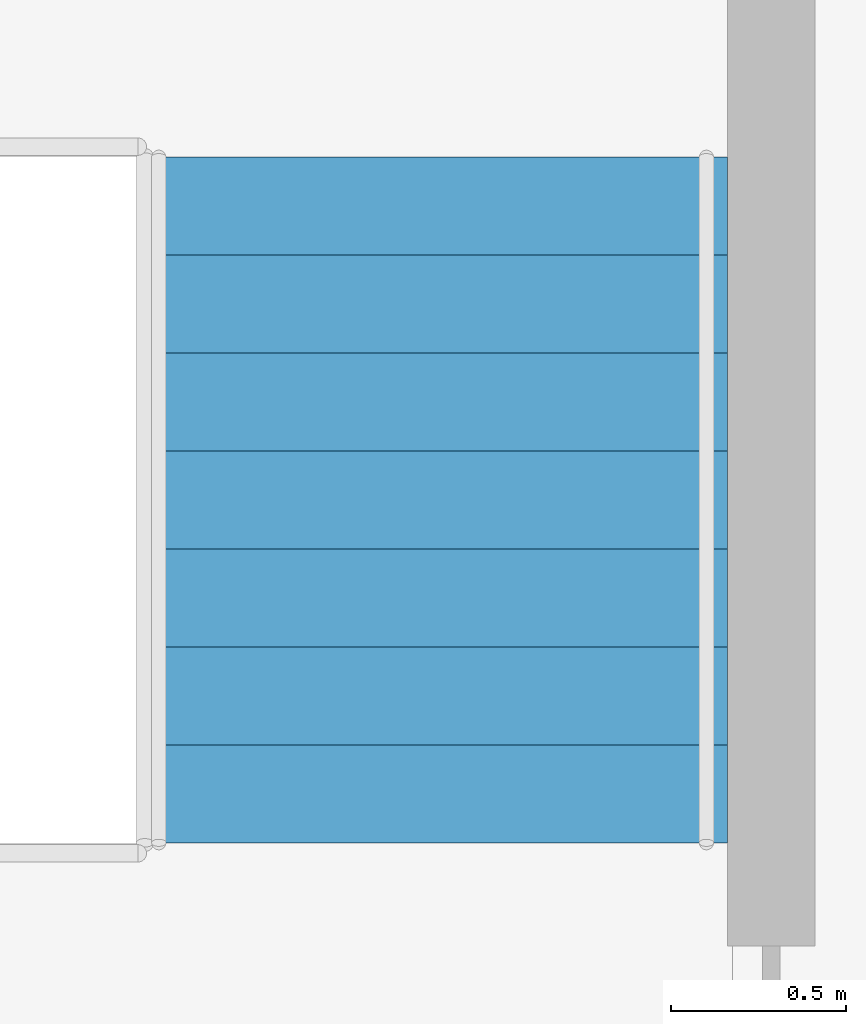
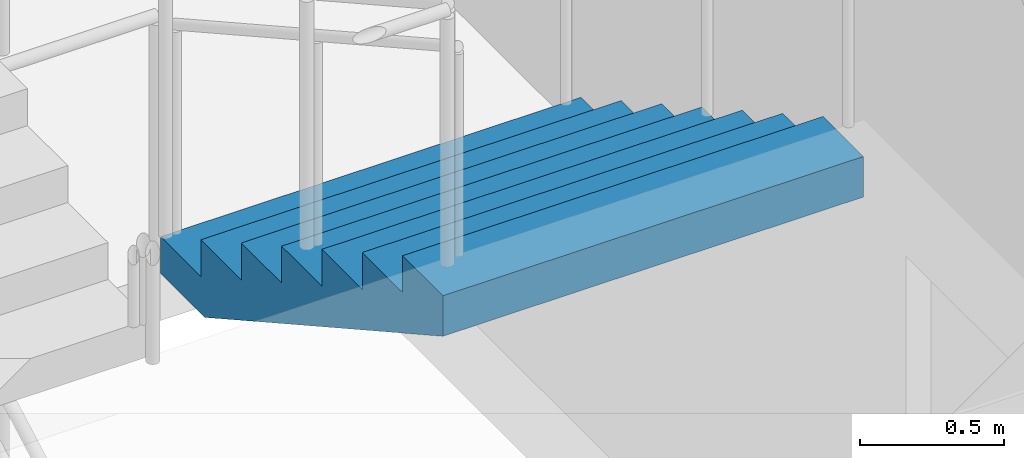
# One storey, part 34 of 37: 1 stair flight, 1 element without a shape of its own.
"""IFC4 building model written with IfcOpenShell, lengths in metres."""

from ifc_helpers import new_model, si_unit, direction, frame, origin, place, context, subcontext, project, spatial, triangles, material, type_object, element, aggregate, save


model = new_model("IFC4")

# Units and contexts
model_context = context("Model", 3, precision=1e-05, world=origin(), true_north=direction((0.0, 1.0)))
body_context = subcontext(model_context, "Body", "Model", "MODEL_VIEW")
ifc_project = project(units=[si_unit("LENGTHUNIT", "METRE"), si_unit("AREAUNIT", "SQUARE_METRE"), si_unit("VOLUMEUNIT", "CUBIC_METRE"), si_unit("PLANEANGLEUNIT", "RADIAN"), si_unit("MASSUNIT", "GRAM", prefix="KILO")], contexts=[model_context])

# Site, building, storey
site_placement = place(None, origin())
site = spatial("IfcSite", under=ifc_project, at=site_placement, CompositionType="ELEMENT")
building_placement = place(site_placement, origin())
building = spatial("IfcBuilding", under=site, at=building_placement, Name="Orbita Commons", CompositionType="ELEMENT")
storey_placement = place(building_placement, frame((0.0, 0.0, 6.0)))
storey = spatial("IfcBuildingStorey", under=building, at=storey_placement, Name="L01", CompositionType="ELEMENT", Elevation=6.0)

# Stair, stair flight
ifc_material_1 = material(Name="Precast concrete C40/50", Category="concrete")
stair_type = type_object("IfcStairType", Name="Podium exit stair 4 flights 8 risers 156", PredefinedType="HALF_TURN_STAIR", material=ifc_material_1)
stair_placement = place(storey_placement, origin())
stair = element("IfcStair", 1, at=stair_placement, inside=storey, type_object=stair_type, Name="Podium exit stair PS2 L01", PredefinedType="HALF_TURN_STAIR")
ifc_material_2 = material(Name="Precast concrete C40/50", Category="concrete")
stair_flight_type = type_object("IfcStairFlightType", Name="Podium stair flight 8 risers 156 x 1685", PredefinedType="STRAIGHT", material=ifc_material_2)
stair_flight_placement = place(storey_placement, frame((76.4326171875, 31.780029296875, 1.25), z_axis=(0.0, 0.0, 1.0), x_axis=(0.0, -1.0, 0.0)))
stair_flight = element("IfcStairFlight", 2, at=stair_flight_placement, type_object=stair_flight_type, Name="PS2 flight 2", NumberOfRisers=8, NumberOfTreads=7, PredefinedType="STRAIGHT", RiserHeight=0.15625, TreadLength=0.28, context=body_context, shape_type="Tessellation", body=[
    triangles([(0.0, 0.842529, 0.0), (0.0, 0.842529, 0.019531), (0.0, 0.702108, 0.019531), (0.0, 0.702108, 0.0), (0.0, 0.561686, 0.019531), (0.0, 0.561686, 0.0), (0.0, 0.421265, 0.019531), (0.0, 0.421265, 0.0), (0.0, 0.280843, 0.019531), (0.0, 0.280843, 0.0), (0.0, 0.140422, 0.019531), (0.0, 0.140422, 0.0), (0.0, 0.0, 0.019531), (0.0, 0.0, 0.0), (0.0, -0.140422, 0.019531), (0.0, -0.140422, 0.0), (0.0, -0.280843, 0.019531), (0.0, -0.280843, 0.0), (0.0, -0.421265, 0.019531), (0.0, -0.421265, 0.0), (0.0, -0.561686, 0.019531), (0.0, -0.561686, 0.0), (0.0, -0.702108, 0.019531), (0.0, -0.702108, 0.0), (0.0, -0.842529, 0.019531), (0.0, -0.842529, 0.0), (0.0, 0.842529, 0.039062), (0.0, 0.702108, 0.039062), (0.0, 0.561686, 0.039062), (0.0, 0.421265, 0.039062), (0.0, 0.280843, 0.039062), (0.0, 0.140422, 0.039062), (0.0, 0.0, 0.039062), (0.0, -0.140422, 0.039062), (0.0, -0.280843, 0.039062), (0.0, -0.421265, 0.039062), (0.0, -0.561686, 0.039062), (0.0, -0.702108, 0.039062), (0.0, -0.842529, 0.039062), (0.0, 0.842529, 0.058594), (0.0, 0.702108, 0.058594), (0.0, 0.561686, 0.058594), (0.0, 0.421265, 0.058594), (0.0, 0.280843, 0.058594), (0.0, 0.140422, 0.058594), (0.0, 0.0, 0.058594), (0.0, -0.140422, 0.058594), (0.0, -0.280843, 0.058594), (0.0, -0.421265, 0.058594), (0.0, -0.561686, 0.058594), (0.0, -0.702108, 0.058594), (0.0, -0.842529, 0.058594), (0.0, 0.842529, 0.078125), (0.0, 0.702108, 0.078125), (0.0, 0.561686, 0.078125), (0.0, 0.421265, 0.078125), (0.0, 0.280843, 0.078125), (0.0, 0.140422, 0.078125), (0.0, 0.0, 0.078125), (0.0, -0.140422, 0.078125), (0.0, -0.280843, 0.078125), (0.0, -0.421265, 0.078125), (0.0, -0.561686, 0.078125), (0.0, -0.702108, 0.078125), (0.0, -0.842529, 0.078125), (0.0, 0.842529, 0.097656), (0.0, 0.702108, 0.097656), (0.0, 0.561686, 0.097656), (0.0, 0.421265, 0.097656), (0.0, 0.280843, 0.097656), (0.0, 0.140422, 0.097656), (0.0, 0.0, 0.097656), (0.0, -0.140422, 0.097656), (0.0, -0.280843, 0.097656), (0.0, -0.421265, 0.097656), (0.0, -0.561686, 0.097656), (0.0, -0.702108, 0.097656), (0.0, -0.842529, 0.097656), (0.0, 0.842529, 0.117188), (0.0, 0.702108, 0.117188), (0.0, 0.561686, 0.117188), (0.0, 0.421265, 0.117188), (0.0, 0.280843, 0.117188), (0.0, 0.140422, 0.117188), (0.0, 0.0, 0.117188), (0.0, -0.140422, 0.117188), (0.0, -0.280843, 0.117188), (0.0, -0.421265, 0.117188), (0.0, -0.561686, 0.117188), (0.0, -0.702108, 0.117188), (0.0, -0.842529, 0.117188), (0.0, 0.842529, 0.136719), (0.0, 0.702108, 0.136719), (0.0, 0.561686, 0.136719), (0.0, 0.421265, 0.136719), (0.0, 0.280843, 0.136719), (0.0, 0.140422, 0.136719), (0.0, 0.0, 0.136719), (0.0, -0.140422, 0.136719), (0.0, -0.280843, 0.136719), (0.0, -0.421265, 0.136719), (0.0, -0.561686, 0.136719), (0.0, -0.702108, 0.136719), (0.0, -0.842529, 0.136719), (0.0, 0.842529, 0.15625), (0.0, 0.702108, 0.15625), (0.0, 0.561686, 0.15625), (0.0, 0.421265, 0.15625), (0.0, 0.280843, 0.15625), (0.0, 0.140422, 0.15625), (0.0, 0.0, 0.15625), (0.0, -0.140422, 0.15625), (0.0, -0.280843, 0.15625), (0.0, -0.421265, 0.15625), (0.0, -0.561686, 0.15625), (0.0, -0.702108, 0.15625), (0.0, -0.842529, 0.15625), (0.28, 0.842529, 0.15625), (0.28, 0.702108, 0.15625), (0.28, 0.561686, 0.15625), (0.28, 0.421265, 0.15625), (0.28, 0.280843, 0.15625), (0.28, 0.140422, 0.15625), (0.28, 0.0, 0.15625), (0.28, -0.140422, 0.15625), (0.28, -0.280843, 0.15625), (0.28, -0.421265, 0.15625), (0.28, -0.561686, 0.15625), (0.28, -0.702108, 0.15625), (0.28, -0.842529, 0.15625), (0.28, 0.842529, 0.3125), (0.28, 0.702108, 0.3125), (0.28, 0.561686, 0.3125), (0.28, 0.421265, 0.3125), (0.28, 0.280843, 0.3125), (0.28, 0.140422, 0.3125), (0.28, 0.0, 0.3125), (0.28, -0.140422, 0.3125), (0.28, -0.280843, 0.3125), (0.28, -0.421265, 0.3125), (0.28, -0.561686, 0.3125), (0.28, -0.702108, 0.3125), (0.28, -0.842529, 0.3125), (0.56, 0.842529, 0.3125), (0.56, 0.702108, 0.3125), (0.56, 0.561686, 0.3125), (0.56, 0.421265, 0.3125), (0.56, 0.280843, 0.3125), (0.56, 0.140422, 0.3125), (0.56, 0.0, 0.3125), (0.56, -0.140422, 0.3125), (0.56, -0.280843, 0.3125), (0.56, -0.421265, 0.3125), (0.56, -0.561686, 0.3125), (0.56, -0.702108, 0.3125), (0.56, -0.842529, 0.3125), (0.56, 0.842529, 0.46875), (0.56, 0.702108, 0.46875), (0.56, 0.561686, 0.46875), (0.56, 0.421265, 0.46875), (0.56, 0.280843, 0.46875), (0.56, 0.140422, 0.46875), (0.56, 0.0, 0.46875), (0.56, -0.140422, 0.46875), (0.56, -0.280843, 0.46875), (0.56, -0.421265, 0.46875), (0.56, -0.561686, 0.46875), (0.56, -0.702108, 0.46875), (0.56, -0.842529, 0.46875), (0.84, 0.842529, 0.46875), (0.84, 0.702108, 0.46875), (0.84, 0.561686, 0.46875), (0.84, 0.421265, 0.46875), (0.84, 0.280843, 0.46875), (0.84, 0.140422, 0.46875), (0.84, 0.0, 0.46875), (0.84, -0.140422, 0.46875), (0.84, -0.280843, 0.46875), (0.84, -0.421265, 0.46875), (0.84, -0.561686, 0.46875), (0.84, -0.702108, 0.46875), (0.84, -0.842529, 0.46875), (0.84, 0.842529, 0.625), (0.84, 0.702108, 0.625), (0.84, 0.561686, 0.625), (0.84, 0.421265, 0.625), (0.84, 0.280843, 0.625), (0.84, 0.140422, 0.625), (0.84, 0.0, 0.625), (0.84, -0.140422, 0.625), (0.84, -0.280843, 0.625), (0.84, -0.421265, 0.625), (0.84, -0.561686, 0.625), (0.84, -0.702108, 0.625), (0.84, -0.842529, 0.625), (1.12, 0.842529, 0.625), (1.12, 0.702108, 0.625), (1.12, 0.561686, 0.625), (1.12, 0.421265, 0.625), (1.12, 0.280843, 0.625), (1.12, 0.140422, 0.625), (1.12, 0.0, 0.625), (1.12, -0.140422, 0.625), (1.12, -0.280843, 0.625), (1.12, -0.421265, 0.625), (1.12, -0.561686, 0.625), (1.12, -0.702108, 0.625), (1.12, -0.842529, 0.625), (1.12, 0.842529, 0.78125), (1.12, 0.702108, 0.78125), (1.12, 0.561686, 0.78125), (1.12, 0.421265, 0.78125), (1.12, 0.280843, 0.78125), (1.12, 0.140422, 0.78125), (1.12, 0.0, 0.78125), (1.12, -0.140422, 0.78125), (1.12, -0.280843, 0.78125), (1.12, -0.421265, 0.78125), (1.12, -0.561686, 0.78125), (1.12, -0.702108, 0.78125), (1.12, -0.842529, 0.78125), (1.4, 0.842529, 0.78125), (1.4, 0.702108, 0.78125), (1.4, 0.561686, 0.78125), (1.4, 0.421265, 0.78125), (1.4, 0.280843, 0.78125), (1.4, 0.140422, 0.78125), (1.4, 0.0, 0.78125), (1.4, -0.140422, 0.78125), (1.4, -0.280843, 0.78125), (1.4, -0.421265, 0.78125), (1.4, -0.561686, 0.78125), (1.4, -0.702108, 0.78125), (1.4, -0.842529, 0.78125), (1.4, 0.842529, 0.9375), (1.4, 0.702108, 0.9375), (1.4, 0.561686, 0.9375), (1.4, 0.421265, 0.9375), (1.4, 0.280843, 0.9375), (1.4, 0.140422, 0.9375), (1.4, 0.0, 0.9375), (1.4, -0.140422, 0.9375), (1.4, -0.280843, 0.9375), (1.4, -0.421265, 0.9375), (1.4, -0.561686, 0.9375), (1.4, -0.702108, 0.9375), (1.4, -0.842529, 0.9375), (1.68, 0.842529, 0.9375), (1.68, 0.702108, 0.9375), (1.68, 0.561686, 0.9375), (1.68, 0.421265, 0.9375), (1.68, 0.280843, 0.9375), (1.68, 0.140422, 0.9375), (1.68, 0.0, 0.9375), (1.68, -0.140422, 0.9375), (1.68, -0.280843, 0.9375), (1.68, -0.421265, 0.9375), (1.68, -0.561686, 0.9375), (1.68, -0.702108, 0.9375), (1.68, -0.842529, 0.9375), (1.68, 0.842529, 1.09375), (1.68, 0.702108, 1.09375), (1.68, 0.561686, 1.09375), (1.68, 0.421265, 1.09375), (1.68, 0.280843, 1.09375), (1.68, 0.140422, 1.09375), (1.68, 0.0, 1.09375), (1.68, -0.140422, 1.09375), (1.68, -0.280843, 1.09375), (1.68, -0.421265, 1.09375), (1.68, -0.561686, 1.09375), (1.68, -0.702108, 1.09375), (1.68, -0.842529, 1.09375), (1.96, 0.842529, 1.09375), (1.96, 0.702108, 1.09375), (1.96, 0.561686, 1.09375), (1.96, 0.421265, 1.09375), (1.96, 0.280843, 1.09375), (1.96, 0.140422, 1.09375), (1.96, 0.0, 1.09375), (1.96, -0.140422, 1.09375), (1.96, -0.280843, 1.09375), (1.96, -0.421265, 1.09375), (1.96, -0.561686, 1.09375), (1.96, -0.702108, 1.09375), (1.96, -0.842529, 1.09375), (1.96, 0.842529, 1.072292), (1.96, 0.702108, 1.072292), (1.96, 0.561686, 1.072292), (1.96, 0.421265, 1.072292), (1.96, 0.280843, 1.072292), (1.96, 0.140422, 1.072292), (1.96, 0.0, 1.072292), (1.96, -0.140422, 1.072292), (1.96, -0.280843, 1.072292), (1.96, -0.421265, 1.072292), (1.96, -0.561686, 1.072292), (1.96, -0.702108, 1.072292), (1.96, -0.842529, 1.072292), (1.96, 0.842529, 1.050834), (1.96, 0.702108, 1.050834), (1.96, 0.561686, 1.050834), (1.96, 0.421265, 1.050834), (1.96, 0.280843, 1.050834), (1.96, 0.140422, 1.050834), (1.96, 0.0, 1.050834), (1.96, -0.140422, 1.050834), (1.96, -0.280843, 1.050834), (1.96, -0.421265, 1.050834), (1.96, -0.561686, 1.050834), (1.96, -0.702108, 1.050834), (1.96, -0.842529, 1.050834), (1.96, 0.842529, 1.029376), (1.96, 0.702108, 1.029376), (1.96, 0.561686, 1.029376), (1.96, 0.421265, 1.029376), (1.96, 0.280843, 1.029376), (1.96, 0.140422, 1.029376), (1.96, 0.0, 1.029376), (1.96, -0.140422, 1.029376), (1.96, -0.280843, 1.029376), (1.96, -0.421265, 1.029376), (1.96, -0.561686, 1.029376), (1.96, -0.702108, 1.029376), (1.96, -0.842529, 1.029376), (1.96, 0.842529, 1.007919), (1.96, 0.702108, 1.007919), (1.96, 0.561686, 1.007919), (1.96, 0.421265, 1.007919), (1.96, 0.280843, 1.007919), (1.96, 0.140422, 1.007919), (1.96, 0.0, 1.007919), (1.96, -0.140422, 1.007919), (1.96, -0.280843, 1.007919), (1.96, -0.421265, 1.007919), (1.96, -0.561686, 1.007919), (1.96, -0.702108, 1.007919), (1.96, -0.842529, 1.007919), (1.96, 0.842529, 0.986461), (1.96, 0.702108, 0.986461), (1.96, 0.561686, 0.986461), (1.96, 0.421265, 0.986461), (1.96, 0.280843, 0.986461), (1.96, 0.140422, 0.986461), (1.96, 0.0, 0.986461), (1.96, -0.140422, 0.986461), (1.96, -0.280843, 0.986461), (1.96, -0.421265, 0.986461), (1.96, -0.561686, 0.986461), (1.96, -0.702108, 0.986461), (1.96, -0.842529, 0.986461), (1.96, 0.842529, 0.965003), (1.96, 0.702108, 0.965003), (1.96, 0.561686, 0.965003), (1.96, 0.421265, 0.965003), (1.96, 0.280843, 0.965003), (1.96, 0.140422, 0.965003), (1.96, 0.0, 0.965003), (1.96, -0.140422, 0.965003), (1.96, -0.280843, 0.965003), (1.96, -0.421265, 0.965003), (1.96, -0.561686, 0.965003), (1.96, -0.702108, 0.965003), (1.96, -0.842529, 0.965003), (1.96, 0.842529, 0.943545), (1.96, 0.702108, 0.943545), (1.96, 0.561686, 0.943545), (1.96, 0.421265, 0.943545), (1.96, 0.280843, 0.943545), (1.96, 0.140422, 0.943545), (1.96, 0.0, 0.943545), (1.96, -0.140422, 0.943545), (1.96, -0.280843, 0.943545), (1.96, -0.421265, 0.943545), (1.96, -0.561686, 0.943545), (1.96, -0.702108, 0.943545), (1.96, -0.842529, 0.943545), (1.96, 0.842529, 0.922087), (1.96, 0.702108, 0.922087), (1.96, 0.561686, 0.922087), (1.96, 0.421265, 0.922087), (1.96, 0.280843, 0.922087), (1.96, 0.140422, 0.922087), (1.96, 0.0, 0.922087), (1.96, -0.140422, 0.922087), (1.96, -0.280843, 0.922087), (1.96, -0.421265, 0.922087), (1.96, -0.561686, 0.922087), (1.96, -0.702108, 0.922087), (1.96, -0.842529, 0.922087), (0.30762, 0.842529, 0.0), (0.30762, 0.702108, 0.0), (0.30762, 0.561686, 0.0), (0.30762, 0.421265, 0.0), (0.30762, 0.280843, 0.0), (0.30762, 0.140422, 0.0), (0.30762, 0.0, 0.0), (0.30762, -0.140422, 0.0), (0.30762, -0.280843, 0.0), (0.30762, -0.421265, 0.0), (0.30762, -0.561686, 0.0), (0.30762, -0.702108, 0.0), (0.30762, -0.842529, 0.0)], [[3, 2, 1], [4, 3, 1], [5, 3, 4], [6, 5, 4], [7, 5, 6], [8, 7, 6], [9, 7, 8], [10, 9, 8], [11, 9, 10], [12, 11, 10], [13, 11, 12], [14, 13, 12], [15, 13, 14], [16, 15, 14], [17, 15, 16], [18, 17, 16], [19, 17, 18], [20, 19, 18], [21, 19, 20], [22, 21, 20], [23, 21, 22], [24, 23, 22], [25, 23, 24], [26, 25, 24], [28, 27, 2], [3, 28, 2], [29, 28, 3], [5, 29, 3], [30, 29, 5], [7, 30, 5], [31, 30, 7], [9, 31, 7], [32, 31, 9], [11, 32, 9], [33, 32, 11], [13, 33, 11], [34, 33, 13], [15, 34, 13], [35, 34, 15], [17, 35, 15], [36, 35, 17], [19, 36, 17], [37, 36, 19], [21, 37, 19], [38, 37, 21], [23, 38, 21], [39, 38, 23], [25, 39, 23], [41, 40, 27], [28, 41, 27], [42, 41, 28], [29, 42, 28], [43, 42, 29], [30, 43, 29], [44, 43, 30], [31, 44, 30], [45, 44, 31], [32, 45, 31], [46, 45, 32], [33, 46, 32], [47, 46, 33], [34, 47, 33], [48, 47, 34], [35, 48, 34], [49, 48, 35], [36, 49, 35], [50, 49, 36], [37, 50, 36], [51, 50, 37], [38, 51, 37], [52, 51, 38], [39, 52, 38], [54, 53, 40], [41, 54, 40], [55, 54, 41], [42, 55, 41], [56, 55, 42], [43, 56, 42], [57, 56, 43], [44, 57, 43], [58, 57, 44], [45, 58, 44], [59, 58, 45], [46, 59, 45], [60, 59, 46], [47, 60, 46], [61, 60, 47], [48, 61, 47], [62, 61, 48], [49, 62, 48], [63, 62, 49], [50, 63, 49], [64, 63, 50], [51, 64, 50], [65, 64, 51], [52, 65, 51], [67, 66, 53], [54, 67, 53], [68, 67, 54], [55, 68, 54], [69, 68, 55], [56, 69, 55], [70, 69, 56], [57, 70, 56], [71, 70, 57], [58, 71, 57], [72, 71, 58], [59, 72, 58], [73, 72, 59], [60, 73, 59], [74, 73, 60], [61, 74, 60], [75, 74, 61], [62, 75, 61], [76, 75, 62], [63, 76, 62], [77, 76, 63], [64, 77, 63], [78, 77, 64], [65, 78, 64], [80, 79, 66], [67, 80, 66], [81, 80, 67], [68, 81, 67], [82, 81, 68], [69, 82, 68], [83, 82, 69], [70, 83, 69], [84, 83, 70], [71, 84, 70], [85, 84, 71], [72, 85, 71], [86, 85, 72], [73, 86, 72], [87, 86, 73], [74, 87, 73], [88, 87, 74], [75, 88, 74], [89, 88, 75], [76, 89, 75], [90, 89, 76], [77, 90, 76], [91, 90, 77], [78, 91, 77], [93, 92, 79], [80, 93, 79], [94, 93, 80], [81, 94, 80], [95, 94, 81], [82, 95, 81], [96, 95, 82], [83, 96, 82], [97, 96, 83], [84, 97, 83], [98, 97, 84], [85, 98, 84], [99, 98, 85], [86, 99, 85], [100, 99, 86], [87, 100, 86], [101, 100, 87], [88, 101, 87], [102, 101, 88], [89, 102, 88], [103, 102, 89], [90, 103, 89], [104, 103, 90], [91, 104, 90], [106, 105, 92], [93, 106, 92], [107, 106, 93], [94, 107, 93], [108, 107, 94], [95, 108, 94], [109, 108, 95], [96, 109, 95], [110, 109, 96], [97, 110, 96], [111, 110, 97], [98, 111, 97], [112, 111, 98], [99, 112, 98], [113, 112, 99], [100, 113, 99], [114, 113, 100], [101, 114, 100], [115, 114, 101], [102, 115, 101], [116, 115, 102], [103, 116, 102], [117, 116, 103], [104, 117, 103], [119, 118, 105], [106, 119, 105], [120, 119, 106], [107, 120, 106], [121, 120, 107], [108, 121, 107], [122, 121, 108], [109, 122, 108], [123, 122, 109], [110, 123, 109], [124, 123, 110], [111, 124, 110], [125, 124, 111], [112, 125, 111], [126, 125, 112], [113, 126, 112], [127, 126, 113], [114, 127, 113], [128, 127, 114], [115, 128, 114], [129, 128, 115], [116, 129, 115], [130, 129, 116], [117, 130, 116], [132, 131, 118], [119, 132, 118], [133, 132, 119], [120, 133, 119], [134, 133, 120], [121, 134, 120], [135, 134, 121], [122, 135, 121], [136, 135, 122], [123, 136, 122], [137, 136, 123], [124, 137, 123], [138, 137, 124], [125, 138, 124], [139, 138, 125], [126, 139, 125], [140, 139, 126], [127, 140, 126], [141, 140, 127], [128, 141, 127], [142, 141, 128], [129, 142, 128], [143, 142, 129], [130, 143, 129], [145, 144, 131], [132, 145, 131], [146, 145, 132], [133, 146, 132], [147, 146, 133], [134, 147, 133], [148, 147, 134], [135, 148, 134], [149, 148, 135], [136, 149, 135], [150, 149, 136], [137, 150, 136], [151, 150, 137], [138, 151, 137], [152, 151, 138], [139, 152, 138], [153, 152, 139], [140, 153, 139], [154, 153, 140], [141, 154, 140], [155, 154, 141], [142, 155, 141], [156, 155, 142], [143, 156, 142], [158, 157, 144], [145, 158, 144], [159, 158, 145], [146, 159, 145], [160, 159, 146], [147, 160, 146], [161, 160, 147], [148, 161, 147], [162, 161, 148], [149, 162, 148], [163, 162, 149], [150, 163, 149], [164, 163, 150], [151, 164, 150], [165, 164, 151], [152, 165, 151], [166, 165, 152], [153, 166, 152], [167, 166, 153], [154, 167, 153], [168, 167, 154], [155, 168, 154], [169, 168, 155], [156, 169, 155], [171, 170, 157], [158, 171, 157], [172, 171, 158], [159, 172, 158], [173, 172, 159], [160, 173, 159], [174, 173, 160], [161, 174, 160], [175, 174, 161], [162, 175, 161], [176, 175, 162], [163, 176, 162], [177, 176, 163], [164, 177, 163], [178, 177, 164], [165, 178, 164], [179, 178, 165], [166, 179, 165], [180, 179, 166], [167, 180, 166], [181, 180, 167], [168, 181, 167], [182, 181, 168], [169, 182, 168], [184, 183, 170], [171, 184, 170], [185, 184, 171], [172, 185, 171], [186, 185, 172], [173, 186, 172], [187, 186, 173], [174, 187, 173], [188, 187, 174], [175, 188, 174], [189, 188, 175], [176, 189, 175], [190, 189, 176], [177, 190, 176], [191, 190, 177], [178, 191, 177], [192, 191, 178], [179, 192, 178], [193, 192, 179], [180, 193, 179], [194, 193, 180], [181, 194, 180], [195, 194, 181], [182, 195, 181], [197, 196, 183], [184, 197, 183], [198, 197, 184], [185, 198, 184], [199, 198, 185], [186, 199, 185], [200, 199, 186], [187, 200, 186], [201, 200, 187], [188, 201, 187], [202, 201, 188], [189, 202, 188], [203, 202, 189], [190, 203, 189], [204, 203, 190], [191, 204, 190], [205, 204, 191], [192, 205, 191], [206, 205, 192], [193, 206, 192], [207, 206, 193], [194, 207, 193], [208, 207, 194], [195, 208, 194], [210, 209, 196], [197, 210, 196], [211, 210, 197], [198, 211, 197], [212, 211, 198], [199, 212, 198], [213, 212, 199], [200, 213, 199], [214, 213, 200], [201, 214, 200], [215, 214, 201], [202, 215, 201], [216, 215, 202], [203, 216, 202], [217, 216, 203], [204, 217, 203], [218, 217, 204], [205, 218, 204], [219, 218, 205], [206, 219, 205], [220, 219, 206], [207, 220, 206], [221, 220, 207], [208, 221, 207], [223, 222, 209], [210, 223, 209], [224, 223, 210], [211, 224, 210], [225, 224, 211], [212, 225, 211], [226, 225, 212], [213, 226, 212], [227, 226, 213], [214, 227, 213], [228, 227, 214], [215, 228, 214], [229, 228, 215], [216, 229, 215], [230, 229, 216], [217, 230, 216], [231, 230, 217], [218, 231, 217], [232, 231, 218], [219, 232, 218], [233, 232, 219], [220, 233, 219], [234, 233, 220], [221, 234, 220], [236, 235, 222], [223, 236, 222], [237, 236, 223], [224, 237, 223], [238, 237, 224], [225, 238, 224], [239, 238, 225], [226, 239, 225], [240, 239, 226], [227, 240, 226], [241, 240, 227], [228, 241, 227], [242, 241, 228], [229, 242, 228], [243, 242, 229], [230, 243, 229], [244, 243, 230], [231, 244, 230], [245, 244, 231], [232, 245, 231], [246, 245, 232], [233, 246, 232], [247, 246, 233], [234, 247, 233], [249, 248, 235], [236, 249, 235], [250, 249, 236], [237, 250, 236], [251, 250, 237], [238, 251, 237], [252, 251, 238], [239, 252, 238], [253, 252, 239], [240, 253, 239], [254, 253, 240], [241, 254, 240], [255, 254, 241], [242, 255, 241], [256, 255, 242], [243, 256, 242], [257, 256, 243], [244, 257, 243], [258, 257, 244], [245, 258, 244], [259, 258, 245], [246, 259, 245], [260, 259, 246], [247, 260, 246], [262, 261, 248], [249, 262, 248], [263, 262, 249], [250, 263, 249], [264, 263, 250], [251, 264, 250], [265, 264, 251], [252, 265, 251], [266, 265, 252], [253, 266, 252], [267, 266, 253], [254, 267, 253], [268, 267, 254], [255, 268, 254], [269, 268, 255], [256, 269, 255], [270, 269, 256], [257, 270, 256], [271, 270, 257], [258, 271, 257], [272, 271, 258], [259, 272, 258], [273, 272, 259], [260, 273, 259], [275, 274, 261], [262, 275, 261], [276, 275, 262], [263, 276, 262], [277, 276, 263], [264, 277, 263], [278, 277, 264], [265, 278, 264], [279, 278, 265], [266, 279, 265], [280, 279, 266], [267, 280, 266], [281, 280, 267], [268, 281, 267], [282, 281, 268], [269, 282, 268], [283, 282, 269], [270, 283, 269], [284, 283, 270], [271, 284, 270], [285, 284, 271], [272, 285, 271], [286, 285, 272], [273, 286, 272], [288, 287, 274], [275, 288, 274], [289, 288, 275], [276, 289, 275], [290, 289, 276], [277, 290, 276], [291, 290, 277], [278, 291, 277], [292, 291, 278], [279, 292, 278], [293, 292, 279], [280, 293, 279], [294, 293, 280], [281, 294, 280], [295, 294, 281], [282, 295, 281], [296, 295, 282], [283, 296, 282], [297, 296, 283], [284, 297, 283], [298, 297, 284], [285, 298, 284], [299, 298, 285], [286, 299, 285], [301, 300, 287], [288, 301, 287], [302, 301, 288], [289, 302, 288], [303, 302, 289], [290, 303, 289], [304, 303, 290], [291, 304, 290], [305, 304, 291], [292, 305, 291], [306, 305, 292], [293, 306, 292], [307, 306, 293], [294, 307, 293], [308, 307, 294], [295, 308, 294], [309, 308, 295], [296, 309, 295], [310, 309, 296], [297, 310, 296], [311, 310, 297], [298, 311, 297], [312, 311, 298], [299, 312, 298], [314, 313, 300], [301, 314, 300], [315, 314, 301], [302, 315, 301], [316, 315, 302], [303, 316, 302], [317, 316, 303], [304, 317, 303], [318, 317, 304], [305, 318, 304], [319, 318, 305], [306, 319, 305], [320, 319, 306], [307, 320, 306], [321, 320, 307], [308, 321, 307], [322, 321, 308], [309, 322, 308], [323, 322, 309], [310, 323, 309], [324, 323, 310], [311, 324, 310], [325, 324, 311], [312, 325, 311], [327, 326, 313], [314, 327, 313], [328, 327, 314], [315, 328, 314], [329, 328, 315], [316, 329, 315], [330, 329, 316], [317, 330, 316], [331, 330, 317], [318, 331, 317], [332, 331, 318], [319, 332, 318], [333, 332, 319], [320, 333, 319], [334, 333, 320], [321, 334, 320], [335, 334, 321], [322, 335, 321], [336, 335, 322], [323, 336, 322], [337, 336, 323], [324, 337, 323], [338, 337, 324], [325, 338, 324], [340, 339, 326], [327, 340, 326], [341, 340, 327], [328, 341, 327], [342, 341, 328], [329, 342, 328], [343, 342, 329], [330, 343, 329], [344, 343, 330], [331, 344, 330], [345, 344, 331], [332, 345, 331], [346, 345, 332], [333, 346, 332], [347, 346, 333], [334, 347, 333], [348, 347, 334], [335, 348, 334], [349, 348, 335], [336, 349, 335], [350, 349, 336], [337, 350, 336], [351, 350, 337], [338, 351, 337], [353, 352, 339], [340, 353, 339], [354, 353, 340], [341, 354, 340], [355, 354, 341], [342, 355, 341], [356, 355, 342], [343, 356, 342], [357, 356, 343], [344, 357, 343], [358, 357, 344], [345, 358, 344], [359, 358, 345], [346, 359, 345], [360, 359, 346], [347, 360, 346], [361, 360, 347], [348, 361, 347], [362, 361, 348], [349, 362, 348], [363, 362, 349], [350, 363, 349], [364, 363, 350], [351, 364, 350], [366, 365, 352], [353, 366, 352], [367, 366, 353], [354, 367, 353], [368, 367, 354], [355, 368, 354], [369, 368, 355], [356, 369, 355], [370, 369, 356], [357, 370, 356], [371, 370, 357], [358, 371, 357], [372, 371, 358], [359, 372, 358], [373, 372, 359], [360, 373, 359], [374, 373, 360], [361, 374, 360], [375, 374, 361], [362, 375, 361], [376, 375, 362], [363, 376, 362], [377, 376, 363], [364, 377, 363], [379, 378, 365], [366, 379, 365], [380, 379, 366], [367, 380, 366], [381, 380, 367], [368, 381, 367], [382, 381, 368], [369, 382, 368], [383, 382, 369], [370, 383, 369], [384, 383, 370], [371, 384, 370], [385, 384, 371], [372, 385, 371], [386, 385, 372], [373, 386, 372], [387, 386, 373], [374, 387, 373], [388, 387, 374], [375, 388, 374], [389, 388, 375], [376, 389, 375], [390, 389, 376], [377, 390, 376], [392, 391, 378], [379, 392, 378], [393, 392, 379], [380, 393, 379], [394, 393, 380], [381, 394, 380], [395, 394, 381], [382, 395, 381], [396, 395, 382], [383, 396, 382], [397, 396, 383], [384, 397, 383], [398, 397, 384], [385, 398, 384], [399, 398, 385], [386, 399, 385], [400, 399, 386], [387, 400, 386], [401, 400, 387], [388, 401, 387], [402, 401, 388], [389, 402, 388], [403, 402, 389], [390, 403, 389], [4, 1, 391], [392, 4, 391], [6, 4, 392], [393, 6, 392], [8, 6, 393], [394, 8, 393], [10, 8, 394], [395, 10, 394], [12, 10, 395], [396, 12, 395], [14, 12, 396], [397, 14, 396], [16, 14, 397], [398, 16, 397], [18, 16, 398], [399, 18, 398], [20, 18, 399], [400, 20, 399], [22, 20, 400], [401, 22, 400], [24, 22, 401], [402, 24, 401], [26, 24, 402], [403, 26, 402], [378, 391, 1], [26, 403, 390], [365, 378, 1], [26, 390, 377], [352, 365, 1], [26, 377, 364], [339, 352, 1], [26, 364, 351], [326, 339, 1], [26, 351, 338], [313, 326, 1], [26, 338, 325], [300, 313, 1], [26, 325, 312], [287, 300, 1], [26, 312, 299], [261, 274, 287], [299, 286, 273], [248, 261, 287], [299, 273, 260], [222, 235, 248], [260, 247, 234], [222, 248, 287], [299, 260, 234], [196, 209, 222], [234, 221, 208], [196, 222, 287], [299, 234, 208], [170, 183, 196], [208, 195, 182], [170, 196, 287], [299, 208, 182], [144, 157, 170], [182, 169, 156], [144, 170, 287], [299, 182, 156], [118, 131, 144], [156, 143, 130], [118, 144, 287], [299, 156, 130], [118, 287, 1], [26, 299, 130], [92, 105, 118], [130, 117, 104], [79, 92, 118], [130, 104, 91], [66, 79, 118], [130, 91, 78], [53, 66, 118], [130, 78, 65], [40, 53, 118], [130, 65, 52], [27, 40, 118], [130, 52, 39], [2, 27, 118], [130, 39, 25], [1, 2, 118], [130, 25, 26]], closed=True),
])
aggregate(stair, [stair_flight])

save(model, "model.ifc")
